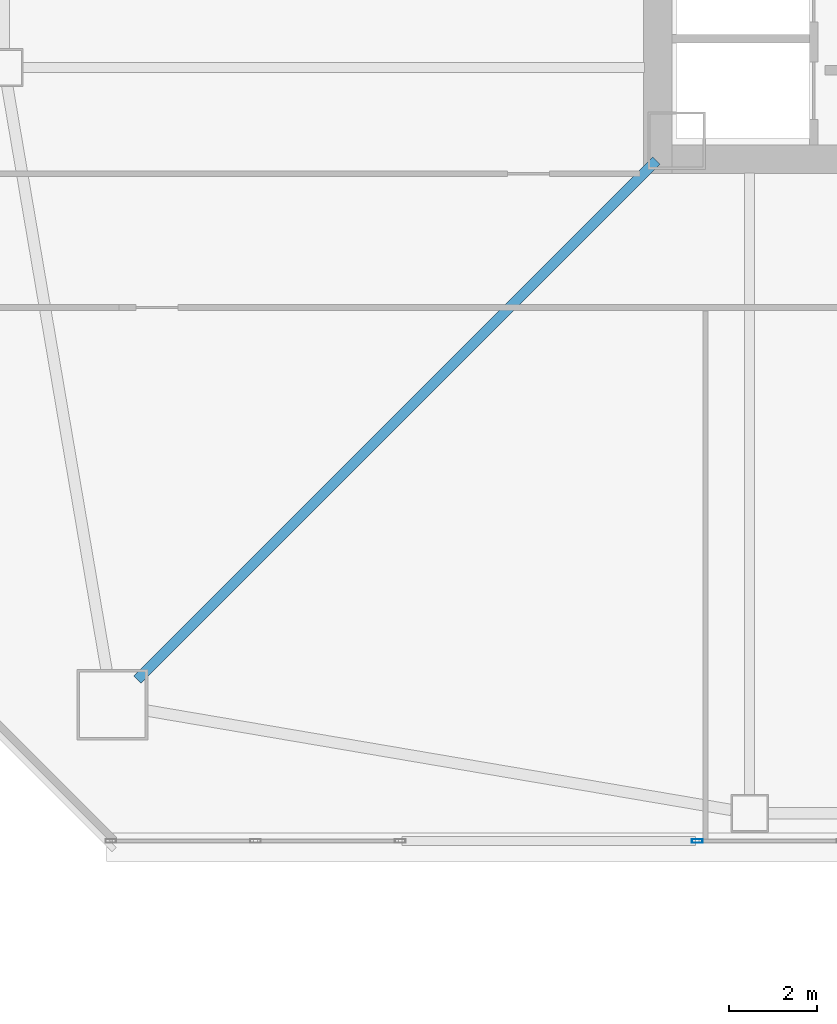
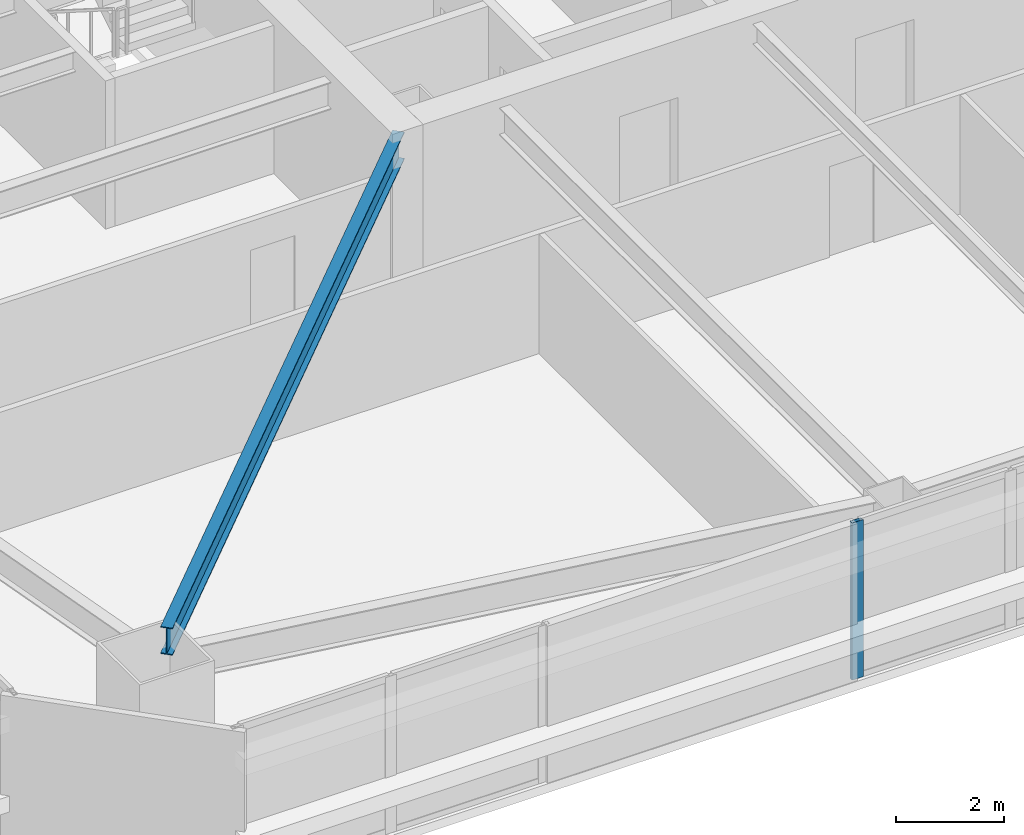
# One storey, part 4 of 47: 1 beam, 1 member, 1 element without a shape of its own.
"""IFC4 building model written with IfcOpenShell, lengths in metres."""

from ifc_helpers import new_model, si_unit, direction, frame, origin, origin_2d, place, context, subcontext, project, spatial, hollow_rectangle, i_section, extrude, material, material_profile, profile_set, type_object, element, aggregate, save


model = new_model("IFC4")

# Units and contexts
model_context = context("Model", 3, precision=1e-05, world=origin(), true_north=direction((0.0, 1.0)))
body_context = subcontext(model_context, "Body", "Model", "MODEL_VIEW")
ifc_project = project(units=[si_unit("LENGTHUNIT", "METRE"), si_unit("AREAUNIT", "SQUARE_METRE"), si_unit("VOLUMEUNIT", "CUBIC_METRE"), si_unit("PLANEANGLEUNIT", "RADIAN"), si_unit("MASSUNIT", "GRAM", prefix="KILO")], contexts=[model_context])

# Site, building, storey
site_placement = place(None, origin())
site = spatial("IfcSite", under=ifc_project, at=site_placement, CompositionType="ELEMENT")
building_placement = place(site_placement, origin())
building = spatial("IfcBuilding", under=site, at=building_placement, Name="Tashvorn Skyway Center", CompositionType="ELEMENT")
storey_placement = place(building_placement, frame((0.0, 0.0, 42.35009765625)))
storey = spatial("IfcBuildingStorey", under=building, at=storey_placement, Name="L10", CompositionType="ELEMENT", Elevation=42.35009765625)

# Beam
ifc_material_1 = material(Name="Steel ASTM A992 Grade 50", Category="steel")
ifc_material_profile_1 = material_profile(ifc_material_1, i_section(OverallWidth=0.22998046875, OverallDepth=0.616943359375, WebThickness=0.01318359375, FlangeThickness=0.022216796875, at=origin_2d()), Name="W24X94")
ifc_profile_set_1 = profile_set([ifc_material_profile_1], Name="Steel ASTM A992 Grade 50")
beam_type = type_object("IfcBeamType", Name="BM-BEAM-W24X94", PredefinedType="BEAM", material=ifc_profile_set_1)
beam_placement = place(storey_placement, frame((22.76220703125, 12.76220703125, 3.04150390625), z_axis=(0.707106781187, 0.707106781187, 0.0), x_axis=(-0.707106781187, 0.707106781187, 0.0)))
element("IfcBeam", 1, at=beam_placement, inside=storey, type_object=beam_type, Name="Tower 1 L10 Primary Floor Girder MC-SW", PredefinedType="BEAM", context=body_context, shape_type="SweptSolid", body=[
    extrude(i_section(OverallWidth=0.22998046875, OverallDepth=0.616943359375, WebThickness=0.01318359375, FlangeThickness=0.022216796875, at=origin_2d()), origin(), (0.0, 0.0, 1.0), 16.591064453125),
])

# Curtain wall, member
ifc_material_2 = material(Name="Thermally broken bronze-anodized aluminium 6063-T6", Category="aluminium")
curtain_wall_type = type_object("IfcCurtainWallType", Name="CW-CW-Z1", PredefinedType="NOTDEFINED", material=ifc_material_2)
curtain_wall_placement = place(storey_placement, origin())
curtain_wall = element("IfcCurtainWall", 2, at=curtain_wall_placement, inside=storey, type_object=curtain_wall_type, Name="Tower 1 L10 South Unitised Curtain Wall Glazing Group 2", PredefinedType="NOTDEFINED")
ifc_material_profile_2 = material_profile(ifc_material_2, hollow_rectangle(XDim=0.0849609375, YDim=0.239990234375, WallThickness=0.0048828125, at=origin_2d()), Name="ALU-MULL-85x240")
ifc_profile_set_2 = profile_set([ifc_material_profile_2], Name="Thermally broken bronze-anodized aluminium 6063-T6")
member_type = type_object("IfcMemberType", Name="CWM-CW-Z1", PredefinedType="MULLION", material=ifc_profile_set_2)
member_placement = place(storey_placement, frame((35.415771484375, 9.1201171875, 0.0), z_axis=(0.0, 0.0, 1.0), x_axis=(0.0, -1.0, 0.0)))
member = element("IfcMember", 3, at=member_placement, type_object=member_type, Name="CW-Z1 mullion 5", PredefinedType="MULLION", context=body_context, shape_type="SweptSolid", body=[
    extrude(hollow_rectangle(XDim=0.0849609375, YDim=0.239990234375, WallThickness=0.0048828125, at=origin_2d()), origin(), (0.0, 0.0, 1.0), 3.5498046875),
])
aggregate(curtain_wall, [member])

save(model, "model.ifc")
